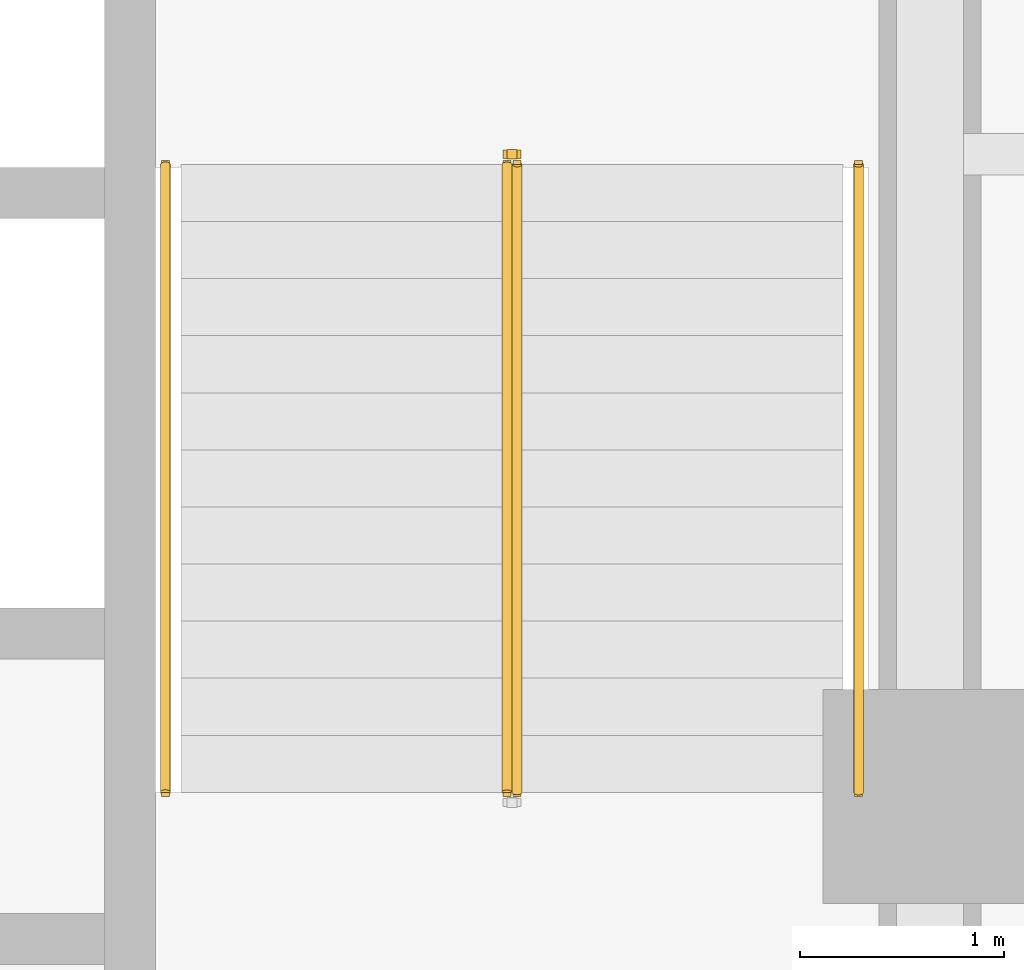
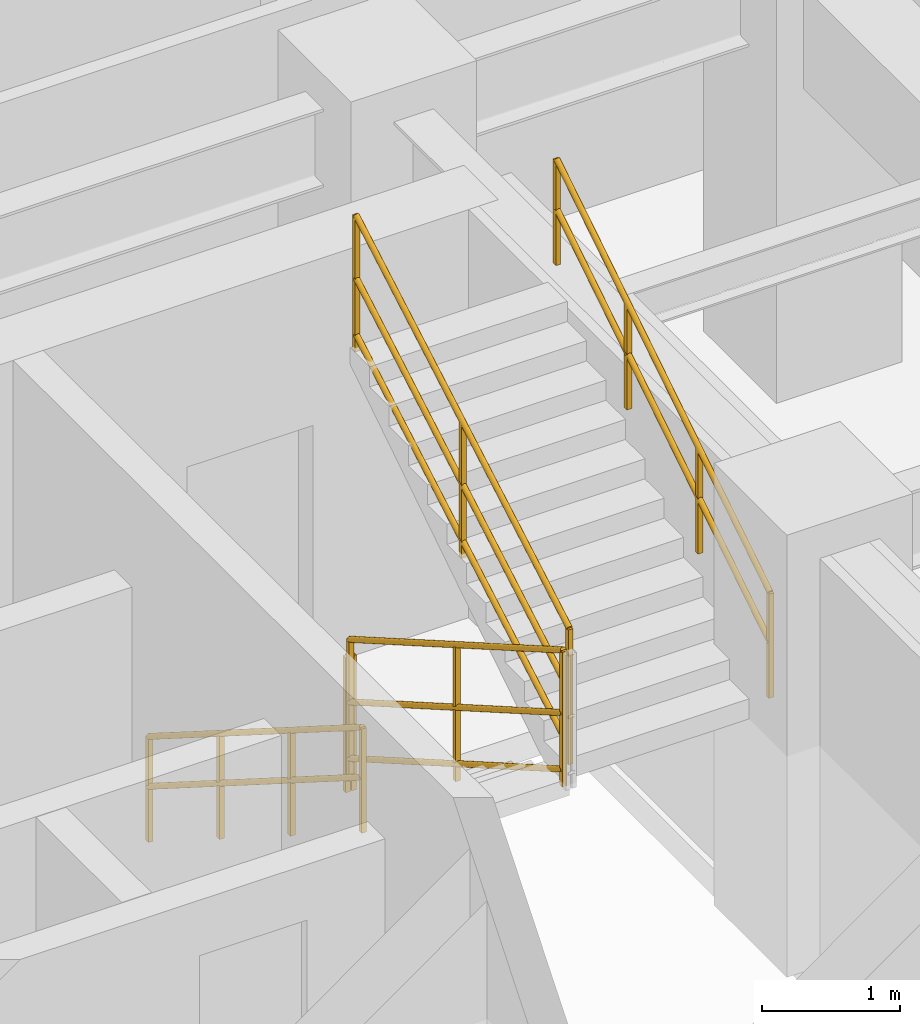
# One storey, part 9 of 10: 5 railings.
"""IFC4 building model written with IfcOpenShell, lengths in metres."""

from ifc_helpers import new_model, entity, si_unit, converted_unit, direction, frame, origin_with_axes, origin_2d_with_axis, place, context, subcontext, project, spatial, rectangle, circle, extrude, material, type_object, element, save


model = new_model("IFC4")

# Units and contexts
model_context = context("Model", 3, precision=1e-05, world=origin_with_axes(), true_north=direction((0.0, 1.0)))
body_context = subcontext(model_context, "Body", "Model", "MODEL_VIEW")
ifc_project = project(units=[si_unit("LENGTHUNIT", "METRE"), si_unit("AREAUNIT", "SQUARE_METRE"), si_unit("VOLUMEUNIT", "CUBIC_METRE"), converted_unit("PLANEANGLEUNIT", "DEGREE", entity("IfcPlaneAngleMeasure", 0.017453292519943295), si_unit("PLANEANGLEUNIT", "RADIAN"), dimensions=[0, 0, 0, 0, 0, 0, 0]), si_unit("MASSUNIT", "GRAM", prefix="KILO"), si_unit("THERMODYNAMICTEMPERATUREUNIT", "KELVIN")], contexts=[model_context])

# Site, building, storey
site_placement = place(None, origin_with_axes())
site = spatial("IfcSite", under=ifc_project, at=site_placement, CompositionType="ELEMENT")
building_placement = place(site_placement, origin_with_axes())
building = spatial("IfcBuilding", under=site, at=building_placement, Name="Varnlund Millrace Tower", CompositionType="ELEMENT")
storey_placement = place(building_placement, frame((0.0, 0.0, 183.6), z_axis=(0.0, 0.0, 1.0), x_axis=(1.0, 0.0, 0.0)))
storey = spatial("IfcBuildingStorey", under=building, at=storey_placement, Name="L45", CompositionType="ELEMENT", Elevation=183.6)

# Railings
ifc_material_1 = material(Name="Painted steel stair well balustrade guard", Category="steel")
railing_type_1 = type_object("IfcRailingType", Name="Type-StairGuard-1150", PredefinedType="GUARDRAIL", material=ifc_material_1)
railing_1_placement = place(storey_placement, frame((0.0, 0.0, -183.6), z_axis=(0.0, 0.0, 1.0), x_axis=(1.0, 0.0, 0.0)))
element("IfcRailing", 1, at=railing_1_placement, inside=storey, type_object=railing_type_1, Name="Type-StairGuard-1150", PredefinedType="GUARDRAIL", context=body_context, shape_type="SweptSolid", body=[
    extrude(circle(Radius=0.024, at=origin_2d_with_axis()), frame((45.975, 21.1, 184.927273), z_axis=(0.0, -0.866696, 0.498836), x_axis=(1.0, 0.0, 0.0)), (0.0, 0.0, 1.0), 3.553725),
    extrude(circle(Radius=0.024, at=origin_2d_with_axis()), frame((45.975, 21.1, 183.877273), z_axis=(0.0, -0.866696, 0.498836), x_axis=(1.0, 0.0, 0.0)), (0.0, 0.0, 1.0), 3.553725),
    extrude(circle(Radius=0.024, at=origin_2d_with_axis()), frame((45.975, 21.1, 184.375273), z_axis=(0.0, -0.866696, 0.498836), x_axis=(1.0, 0.0, 0.0)), (0.0, 0.0, 1.0), 3.553725),
    extrude(rectangle(XDim=0.04, YDim=0.04, at=origin_2d_with_axis()), frame((45.975, 21.1, 183.737273), z_axis=(0.0, 0.0, 1.0), x_axis=(1.0, 0.0, 0.0)), (0.0, 0.0, 1.0), 1.19),
    extrude(rectangle(XDim=0.04, YDim=0.04, at=origin_2d_with_axis()), frame((45.975, 19.56, 184.623636), z_axis=(0.0, 0.0, 1.0), x_axis=(1.0, 0.0, 0.0)), (0.0, 0.0, 1.0), 1.19),
    extrude(rectangle(XDim=0.04, YDim=0.04, at=origin_2d_with_axis()), frame((45.975, 18.02, 185.51), z_axis=(0.0, 0.0, 1.0), x_axis=(1.0, 0.0, 0.0)), (0.0, 0.0, 1.0), 1.19),
])
railing_2_placement = place(storey_placement, frame((0.0, 0.0, -183.6), z_axis=(0.0, 0.0, 1.0), x_axis=(1.0, 0.0, 0.0)))
element("IfcRailing", 2, at=railing_2_placement, inside=storey, type_object=railing_type_1, Name="Type-StairGuard-1150", PredefinedType="GUARDRAIL", context=body_context, shape_type="SweptSolid", body=[
    extrude(circle(Radius=0.024, at=origin_2d_with_axis()), frame((46.025, 18.02, 186.877273), z_axis=(0.0, 0.866696, 0.498836), x_axis=(-1.0, 0.0, 0.0)), (0.0, 0.0, 1.0), 3.553725),
    extrude(circle(Radius=0.024, at=origin_2d_with_axis()), frame((46.025, 18.02, 185.827273), z_axis=(0.0, 0.866696, 0.498836), x_axis=(-1.0, 0.0, 0.0)), (0.0, 0.0, 1.0), 3.553725),
    extrude(circle(Radius=0.024, at=origin_2d_with_axis()), frame((46.025, 18.02, 186.325273), z_axis=(0.0, 0.866696, 0.498836), x_axis=(-1.0, 0.0, 0.0)), (0.0, 0.0, 1.0), 3.553725),
    extrude(rectangle(XDim=0.04, YDim=0.04, at=origin_2d_with_axis()), frame((46.025, 18.02, 185.687273), z_axis=(0.0, 0.0, 1.0), x_axis=(1.0, 0.0, 0.0)), (0.0, 0.0, 1.0), 1.19),
    extrude(rectangle(XDim=0.04, YDim=0.04, at=origin_2d_with_axis()), frame((46.025, 19.56, 186.573636), z_axis=(0.0, 0.0, 1.0), x_axis=(1.0, 0.0, 0.0)), (0.0, 0.0, 1.0), 1.19),
    extrude(rectangle(XDim=0.04, YDim=0.04, at=origin_2d_with_axis()), frame((46.025, 21.1, 187.46), z_axis=(0.0, 0.0, 1.0), x_axis=(1.0, 0.0, 0.0)), (0.0, 0.0, 1.0), 1.19),
])
railing_3_placement = place(storey_placement, frame((0.0, 0.0, -183.6), z_axis=(0.0, 0.0, 1.0), x_axis=(1.0, 0.0, 0.0)))
element("IfcRailing", 3, at=railing_3_placement, inside=storey, type_object=railing_type_1, Name="Type-StairGuard-1150", PredefinedType="GUARDRAIL", context=body_context, shape_type="SweptSolid", body=[
    extrude(circle(Radius=0.024, at=origin_2d_with_axis()), frame((46.025, 21.15, 184.75), z_axis=(-1.0, 0.0, 0.0), x_axis=(0.0, -1.0, 0.0)), (0.0, 0.0, 1.0), 0.05),
    extrude(circle(Radius=0.024, at=origin_2d_with_axis()), frame((46.025, 21.15, 183.7), z_axis=(-1.0, 0.0, 0.0), x_axis=(0.0, -1.0, 0.0)), (0.0, 0.0, 1.0), 0.05),
    extrude(circle(Radius=0.024, at=origin_2d_with_axis()), frame((46.025, 21.15, 184.198), z_axis=(-1.0, 0.0, 0.0), x_axis=(0.0, -1.0, 0.0)), (0.0, 0.0, 1.0), 0.05),
    extrude(rectangle(XDim=0.04, YDim=0.04, at=origin_2d_with_axis()), frame((46.025, 21.15, 183.56), z_axis=(0.0, 0.0, 1.0), x_axis=(1.0, 0.0, 0.0)), (0.0, 0.0, 1.0), 1.19),
    extrude(rectangle(XDim=0.04, YDim=0.04, at=origin_2d_with_axis()), frame((45.975, 21.15, 183.56), z_axis=(0.0, 0.0, 1.0), x_axis=(1.0, 0.0, 0.0)), (0.0, 0.0, 1.0), 1.19),
])
ifc_material_2 = material(Name="Brushed architectural bronze stair handrail", Category="aluminium")
railing_type_2 = type_object("IfcRailingType", Name="Type-StairHandrail-900", PredefinedType="HANDRAIL", material=ifc_material_2)
railing_4_placement = place(storey_placement, frame((0.0, 0.0, -183.6), z_axis=(0.0, 0.0, 1.0), x_axis=(1.0, 0.0, 0.0)))
element("IfcRailing", 4, at=railing_4_placement, inside=storey, type_object=railing_type_2, Name="Type-StairHandrail-900", PredefinedType="HANDRAIL", context=body_context, shape_type="SweptSolid", body=[
    extrude(circle(Radius=0.024, at=origin_2d_with_axis()), frame((44.3, 21.1, 184.656995), z_axis=(0.0, -0.844902, 0.534922), x_axis=(1.0, 0.0, 0.0)), (0.0, 0.0, 1.0), 3.645394),
    extrude(circle(Radius=0.024, at=origin_2d_with_axis()), frame((44.3, 21.1, 184.217134), z_axis=(0.0, -0.844902, 0.534922), x_axis=(1.0, 0.0, 0.0)), (0.0, 0.0, 1.0), 3.645394),
    extrude(rectangle(XDim=0.04, YDim=0.04, at=origin_2d_with_axis()), frame((44.3, 21.1, 183.737273), z_axis=(0.0, 0.0, 1.0), x_axis=(1.0, 0.0, 0.0)), (0.0, 0.0, 1.0), 0.919722),
    extrude(rectangle(XDim=0.04, YDim=0.04, at=origin_2d_with_axis()), frame((44.3, 20.073333, 184.387273), z_axis=(0.0, 0.0, 1.0), x_axis=(1.0, 0.0, 0.0)), (0.0, 0.0, 1.0), 0.919722),
    extrude(rectangle(XDim=0.04, YDim=0.04, at=origin_2d_with_axis()), frame((44.3, 19.046667, 185.037273), z_axis=(0.0, 0.0, 1.0), x_axis=(1.0, 0.0, 0.0)), (0.0, 0.0, 1.0), 0.919722),
    extrude(rectangle(XDim=0.04, YDim=0.04, at=origin_2d_with_axis()), frame((44.3, 18.02, 185.687273), z_axis=(0.0, 0.0, 1.0), x_axis=(1.0, 0.0, 0.0)), (0.0, 0.0, 1.0), 0.919722),
])
railing_5_placement = place(storey_placement, frame((0.0, 0.0, -183.6), z_axis=(0.0, 0.0, 1.0), x_axis=(1.0, 0.0, 0.0)))
element("IfcRailing", 5, at=railing_5_placement, inside=storey, type_object=railing_type_2, Name="Type-StairHandrail-900", PredefinedType="HANDRAIL", context=body_context, shape_type="SweptSolid", body=[
    extrude(circle(Radius=0.024, at=origin_2d_with_axis()), frame((47.7, 18.02, 186.606995), z_axis=(0.0, 0.844902, 0.534922), x_axis=(-1.0, 0.0, 0.0)), (0.0, 0.0, 1.0), 3.645394),
    extrude(circle(Radius=0.024, at=origin_2d_with_axis()), frame((47.7, 18.02, 186.167134), z_axis=(0.0, 0.844902, 0.534922), x_axis=(-1.0, 0.0, 0.0)), (0.0, 0.0, 1.0), 3.645394),
    extrude(rectangle(XDim=0.04, YDim=0.04, at=origin_2d_with_axis()), frame((47.7, 18.02, 185.687273), z_axis=(0.0, 0.0, 1.0), x_axis=(1.0, 0.0, 0.0)), (0.0, 0.0, 1.0), 0.919722),
    extrude(rectangle(XDim=0.04, YDim=0.04, at=origin_2d_with_axis()), frame((47.7, 19.046667, 186.337273), z_axis=(0.0, 0.0, 1.0), x_axis=(1.0, 0.0, 0.0)), (0.0, 0.0, 1.0), 0.919722),
    extrude(rectangle(XDim=0.04, YDim=0.04, at=origin_2d_with_axis()), frame((47.7, 20.073333, 186.987273), z_axis=(0.0, 0.0, 1.0), x_axis=(1.0, 0.0, 0.0)), (0.0, 0.0, 1.0), 0.919722),
    extrude(rectangle(XDim=0.04, YDim=0.04, at=origin_2d_with_axis()), frame((47.7, 21.1, 187.637273), z_axis=(0.0, 0.0, 1.0), x_axis=(1.0, 0.0, 0.0)), (0.0, 0.0, 1.0), 0.919722),
])

save(model, "model.ifc")
